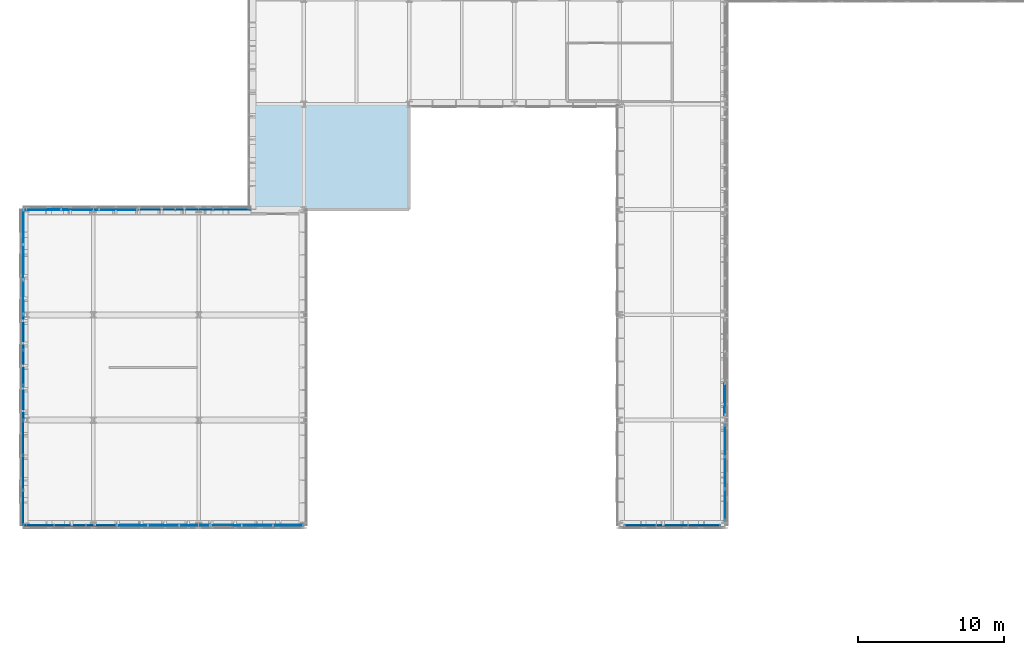
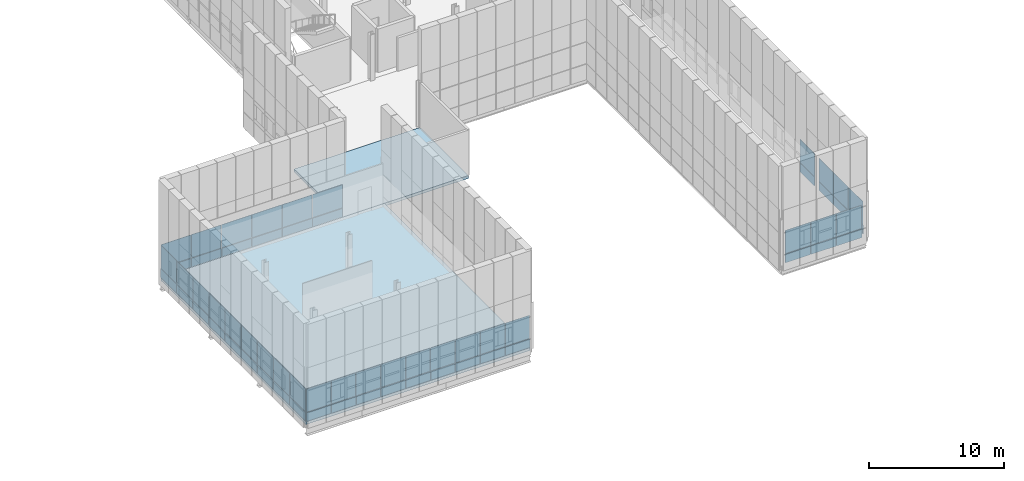
# One storey, part 91 of 144: 62 plates, 2 slabs, 11 elements without a shape of their own.
"""IFC4 building model written with IfcOpenShell, lengths in metres."""

from ifc_helpers import new_model, si_unit, direction, frame, origin, origin_2d, place, context, subcontext, project, spatial, polyline, rectangle, outline, extrude, material, layer, layer_set, type_object, element, aggregate, save


model = new_model("IFC4")

# Units and contexts
model_context = context("Model", 3, precision=1e-05, world=origin(), true_north=direction((0.0, 1.0)))
body_context = subcontext(model_context, "Body", "Model", "MODEL_VIEW")
ifc_project = project(units=[si_unit("LENGTHUNIT", "METRE"), si_unit("AREAUNIT", "SQUARE_METRE"), si_unit("VOLUMEUNIT", "CUBIC_METRE"), si_unit("PLANEANGLEUNIT", "RADIAN"), si_unit("MASSUNIT", "GRAM", prefix="KILO")], contexts=[model_context])

# Site, building, storey
site_placement = place(None, origin())
site = spatial("IfcSite", under=ifc_project, at=site_placement, CompositionType="ELEMENT")
building_placement = place(site_placement, origin())
building = spatial("IfcBuilding", under=site, at=building_placement, Name="Yarey Park Central Fire Station", CompositionType="ELEMENT")
storey_placement = place(building_placement, frame((0.0, 0.0, 10.199951171875)))
storey = spatial("IfcBuildingStorey", under=building, at=storey_placement, Name="L03", CompositionType="ELEMENT", Elevation=10.199951171875)

# Curtain wall, plates
ifc_material_1 = material(Name="Anodized Aluminium Frame", Category="aluminium")
curtain_wall_type = type_object("IfcCurtainWallType", Name="ENV_CW_V3_OVR1", PredefinedType="NOTDEFINED", material=ifc_material_1)
curtain_wall_1_placement = place(storey_placement, origin())
curtain_wall_1 = element("IfcCurtainWall", 1, at=curtain_wall_1_placement, inside=storey, type_object=curtain_wall_type, Name="CW_L03_DRUM_S_048", PredefinedType="NOTDEFINED")
ifc_material_2 = material(Name="Insulated Aluminium Spandrel Panel", Category="aluminium")
ifc_layer_1 = layer(ifc_material_2, 0.055908203125)
ifc_layer_set_1 = layer_set([ifc_layer_1], Name="Insulated Aluminium Spandrel Panel")
plate_type_1 = type_object("IfcPlateType", Name="ENV_PNL_SPN_01", PredefinedType="CURTAIN_PANEL", material=ifc_layer_set_1)
plate_1_placement = place(storey_placement, frame((17.066650390625, 21.60009765625, 0.04248046875), z_axis=(0.0, 0.0, 1.0), x_axis=(1.0, 0.0, 0.0)))
plate_1 = element("IfcPlate", 2, at=plate_1_placement, type_object=plate_type_1, Name="CW_L03_DRUM_S_048_PNL01", PredefinedType="CURTAIN_PANEL", context=body_context, shape_type="SweptSolid", body=[
    extrude(rectangle(XDim=2.09326171875, YDim=0.055908203125, at=origin_2d()), origin(), (0.0, 0.0, 1.0), 0.7900390625),
])
plate_2_placement = place(storey_placement, frame((19.199951171875, 21.60009765625, 0.04248046875), z_axis=(0.0, 0.0, 1.0), x_axis=(1.0, 0.0, 0.0)))
plate_2 = element("IfcPlate", 3, at=plate_2_placement, type_object=plate_type_1, Name="CW_L03_DRUM_S_048_PNL03", PredefinedType="CURTAIN_PANEL", context=body_context, shape_type="SweptSolid", body=[
    extrude(rectangle(XDim=2.09326171875, YDim=0.055908203125, at=origin_2d()), origin(), (0.0, 0.0, 1.0), 0.7900390625),
])
plate_3_placement = place(storey_placement, frame((21.333251953125, 21.60009765625, 0.04248046875), z_axis=(0.0, 0.0, 1.0), x_axis=(1.0, 0.0, 0.0)))
plate_3 = element("IfcPlate", 4, at=plate_3_placement, type_object=plate_type_1, Name="CW_L03_DRUM_S_048_PNL05", PredefinedType="CURTAIN_PANEL", context=body_context, shape_type="SweptSolid", body=[
    extrude(rectangle(XDim=2.09326171875, YDim=0.055908203125, at=origin_2d()), origin(), (0.0, 0.0, 1.0), 0.7900390625),
])

curtain_wall_2_placement = place(storey_placement, origin())
curtain_wall_2 = element("IfcCurtainWall", 5, at=curtain_wall_2_placement, inside=storey, type_object=curtain_wall_type, Name="CW_L03_DRUM_W_052", PredefinedType="NOTDEFINED")
plate_4_placement = place(storey_placement, frame((9.60009765625, 42.0, 0.04248046875), z_axis=(0.0, 0.0, 1.0), x_axis=(0.0, -1.0, 0.0)))
plate_4 = element("IfcPlate", 6, at=plate_4_placement, type_object=plate_type_1, Name="CW_L03_DRUM_W_052_PNL01", PredefinedType="CURTAIN_PANEL", context=body_context, shape_type="SweptSolid", body=[
    extrude(rectangle(XDim=2.360107421875, YDim=0.055908203125, at=origin_2d()), origin(), (0.0, 0.0, 1.0), 0.7900390625),
])
plate_5_placement = place(storey_placement, frame((9.60009765625, 39.60009765625, 0.04248046875), z_axis=(0.0, 0.0, 1.0), x_axis=(0.0, -1.0, 0.0)))
plate_5 = element("IfcPlate", 7, at=plate_5_placement, type_object=plate_type_1, Name="CW_L03_DRUM_W_052_PNL03", PredefinedType="CURTAIN_PANEL", context=body_context, shape_type="SweptSolid", body=[
    extrude(rectangle(XDim=2.360107421875, YDim=0.055908203125, at=origin_2d()), origin(), (0.0, 0.0, 1.0), 0.7900390625),
])
plate_6_placement = place(storey_placement, frame((9.60009765625, 37.199951171875, 0.04248046875), z_axis=(0.0, 0.0, 1.0), x_axis=(0.0, -1.0, 0.0)))
plate_6 = element("IfcPlate", 8, at=plate_6_placement, type_object=plate_type_1, Name="CW_L03_DRUM_W_052_PNL05", PredefinedType="CURTAIN_PANEL", context=body_context, shape_type="SweptSolid", body=[
    extrude(rectangle(XDim=2.360107421875, YDim=0.055908203125, at=origin_2d()), origin(), (0.0, 0.0, 1.0), 0.7900390625),
])

curtain_wall_3_placement = place(storey_placement, origin())
curtain_wall_3 = element("IfcCurtainWall", 9, at=curtain_wall_3_placement, inside=storey, type_object=curtain_wall_type, Name="CW_L03_V1_E_056", PredefinedType="NOTDEFINED")
plate_7_placement = place(storey_placement, frame((57.60009765625, 23.006591796875, 0.04248046875), z_axis=(0.0, 0.0, 1.0), x_axis=(0.0, 1.0, 0.0)))
plate_7 = element("IfcPlate", 10, at=plate_7_placement, type_object=plate_type_1, Name="CW_L03_V1_E_056_PNL01", PredefinedType="CURTAIN_PANEL", context=body_context, shape_type="SweptSolid", body=[
    extrude(rectangle(XDim=2.1533203125, YDim=0.055908203125, at=origin_2d()), origin(), (0.0, 0.0, 1.0), 0.7900390625),
])
plate_8_placement = place(storey_placement, frame((57.60009765625, 25.199951171875, 0.04248046875), z_axis=(0.0, 0.0, 1.0), x_axis=(0.0, 1.0, 0.0)))
plate_8 = element("IfcPlate", 11, at=plate_8_placement, type_object=plate_type_1, Name="CW_L03_V1_E_056_PNL03", PredefinedType="CURTAIN_PANEL", context=body_context, shape_type="SweptSolid", body=[
    extrude(rectangle(XDim=2.1533203125, YDim=0.055908203125, at=origin_2d()), origin(), (0.0, 0.0, 1.0), 0.7900390625),
])
plate_9_placement = place(storey_placement, frame((57.60009765625, 27.393310546875, 0.04248046875), z_axis=(0.0, 0.0, 1.0), x_axis=(0.0, 1.0, 0.0)))
plate_9 = element("IfcPlate", 12, at=plate_9_placement, type_object=plate_type_1, Name="CW_L03_V1_E_056_PNL05", PredefinedType="CURTAIN_PANEL", context=body_context, shape_type="SweptSolid", body=[
    extrude(rectangle(XDim=2.1533203125, YDim=0.055908203125, at=origin_2d()), origin(), (0.0, 0.0, 1.0), 0.7900390625),
])

curtain_wall_4_placement = place(storey_placement, origin())
curtain_wall_4 = element("IfcCurtainWall", 13, at=curtain_wall_4_placement, inside=storey, type_object=curtain_wall_type, Name="CW_L03_DRUM_S_049", PredefinedType="NOTDEFINED")
ifc_layer_2 = layer(ifc_material_2, 0.068115234375)
ifc_layer_set_2 = layer_set([ifc_layer_2], Name="Insulated Aluminium Spandrel Panel")
plate_type_2 = type_object("IfcPlateType", Name="ENV_PNL_SPN_02", PredefinedType="CURTAIN_PANEL", material=ifc_layer_set_2)
plate_10_placement = place(storey_placement, frame((23.466796875, 21.60009765625, 0.04248046875), z_axis=(0.0, 0.0, 1.0), x_axis=(1.0, 0.0, 0.0)))
plate_10 = element("IfcPlate", 14, at=plate_10_placement, type_object=plate_type_2, Name="CW_L03_DRUM_S_049_PNL01", PredefinedType="CURTAIN_PANEL", context=body_context, shape_type="SweptSolid", body=[
    extrude(rectangle(XDim=2.09326171875, YDim=0.068115234375, at=origin_2d()), origin(), (0.0, 0.0, 1.0), 0.7900390625),
])
plate_11_placement = place(storey_placement, frame((25.60009765625, 21.60009765625, 0.04248046875), z_axis=(0.0, 0.0, 1.0), x_axis=(1.0, 0.0, 0.0)))
plate_11 = element("IfcPlate", 15, at=plate_11_placement, type_object=plate_type_2, Name="CW_L03_DRUM_S_049_PNL03", PredefinedType="CURTAIN_PANEL", context=body_context, shape_type="SweptSolid", body=[
    extrude(rectangle(XDim=2.09326171875, YDim=0.068115234375, at=origin_2d()), origin(), (0.0, 0.0, 1.0), 0.7900390625),
])
plate_12_placement = place(storey_placement, frame((27.7333984375, 21.60009765625, 0.04248046875), z_axis=(0.0, 0.0, 1.0), x_axis=(1.0, 0.0, 0.0)))
plate_12 = element("IfcPlate", 16, at=plate_12_placement, type_object=plate_type_2, Name="CW_L03_DRUM_S_049_PNL05", PredefinedType="CURTAIN_PANEL", context=body_context, shape_type="SweptSolid", body=[
    extrude(rectangle(XDim=2.09326171875, YDim=0.068115234375, at=origin_2d()), origin(), (0.0, 0.0, 1.0), 0.7900390625),
])

curtain_wall_5_placement = place(storey_placement, origin())
curtain_wall_5 = element("IfcCurtainWall", 17, at=curtain_wall_5_placement, inside=storey, type_object=curtain_wall_type, Name="CW_L03_DRUM_N_053", PredefinedType="NOTDEFINED")
plate_13_placement = place(storey_placement, frame((16.10009765625, 43.199951171875, 0.04248046875), z_axis=(0.0, 0.0, 1.0), x_axis=(-1.0, 0.0, 0.0)))
plate_13 = element("IfcPlate", 18, at=plate_13_placement, type_object=plate_type_2, Name="CW_L03_DRUM_N_053_PNL01", PredefinedType="CURTAIN_PANEL", context=body_context, shape_type="SweptSolid", body=[
    extrude(rectangle(XDim=2.56005859375, YDim=0.068115234375, at=origin_2d()), origin(), (0.0, 0.0, 1.0), 0.7900390625),
])
plate_14_placement = place(storey_placement, frame((13.5, 43.199951171875, 0.04248046875), z_axis=(0.0, 0.0, 1.0), x_axis=(-1.0, 0.0, 0.0)))
plate_14 = element("IfcPlate", 19, at=plate_14_placement, type_object=plate_type_2, Name="CW_L03_DRUM_N_053_PNL03", PredefinedType="CURTAIN_PANEL", context=body_context, shape_type="SweptSolid", body=[
    extrude(rectangle(XDim=2.56005859375, YDim=0.068115234375, at=origin_2d()), origin(), (0.0, 0.0, 1.0), 0.7900390625),
])
plate_15_placement = place(storey_placement, frame((10.89990234375, 43.199951171875, 0.04248046875), z_axis=(0.0, 0.0, 1.0), x_axis=(-1.0, 0.0, 0.0)))
plate_15 = element("IfcPlate", 20, at=plate_15_placement, type_object=plate_type_2, Name="CW_L03_DRUM_N_053_PNL05", PredefinedType="CURTAIN_PANEL", context=body_context, shape_type="SweptSolid", body=[
    extrude(rectangle(XDim=2.56005859375, YDim=0.068115234375, at=origin_2d()), origin(), (0.0, 0.0, 1.0), 0.7900390625),
])

# Curtain wall, plate
curtain_wall_6_placement = place(storey_placement, origin())
curtain_wall_6 = element("IfcCurtainWall", 21, at=curtain_wall_6_placement, inside=storey, type_object=curtain_wall_type, Name="CW_L03_V1_E_057", PredefinedType="NOTDEFINED")
plate_16_placement = place(storey_placement, frame((57.60009765625, 30.206787109375, 0.04248046875), z_axis=(0.0, 0.0, 1.0), x_axis=(0.0, 1.0, 0.0)))
plate_16 = element("IfcPlate", 22, at=plate_16_placement, type_object=plate_type_2, Name="CW_L03_V1_E_057_PNL01", PredefinedType="CURTAIN_PANEL", context=body_context, shape_type="SweptSolid", body=[
    extrude(rectangle(XDim=2.1533203125, YDim=0.068115234375, at=origin_2d()), origin(), (0.0, 0.0, 1.0), 0.7900390625),
])

# Curtain wall, plates
curtain_wall_7_placement = place(storey_placement, origin())
curtain_wall_7 = element("IfcCurtainWall", 23, at=curtain_wall_7_placement, inside=storey, type_object=curtain_wall_type, Name="CW_L03_DRUM_W_050", PredefinedType="NOTDEFINED")
ifc_layer_3 = layer(ifc_material_2, 0.077880859375)
ifc_layer_set_3 = layer_set([ifc_layer_3], Name="Insulated Aluminium Spandrel Panel")
plate_type_3 = type_object("IfcPlateType", Name="ENV_PNL_SPN_03", PredefinedType="CURTAIN_PANEL", material=ifc_layer_set_3)
plate_17_placement = place(storey_placement, frame((9.60009765625, 27.60009765625, 0.04248046875), z_axis=(0.0, 0.0, 1.0), x_axis=(0.0, -1.0, 0.0)))
plate_17 = element("IfcPlate", 24, at=plate_17_placement, type_object=plate_type_3, Name="CW_L03_DRUM_W_050_PNL01", PredefinedType="CURTAIN_PANEL", context=body_context, shape_type="SweptSolid", body=[
    extrude(rectangle(XDim=2.360107421875, YDim=0.077880859375, at=origin_2d()), origin(), (0.0, 0.0, 1.0), 0.7900390625),
])
plate_18_placement = place(storey_placement, frame((9.60009765625, 25.199951171875, 0.04248046875), z_axis=(0.0, 0.0, 1.0), x_axis=(0.0, -1.0, 0.0)))
plate_18 = element("IfcPlate", 25, at=plate_18_placement, type_object=plate_type_3, Name="CW_L03_DRUM_W_050_PNL03", PredefinedType="CURTAIN_PANEL", context=body_context, shape_type="SweptSolid", body=[
    extrude(rectangle(XDim=2.360107421875, YDim=0.077880859375, at=origin_2d()), origin(), (0.0, 0.0, 1.0), 0.7900390625),
])
plate_19_placement = place(storey_placement, frame((9.60009765625, 22.800048828125, 0.04248046875), z_axis=(0.0, 0.0, 1.0), x_axis=(0.0, -1.0, 0.0)))
plate_19 = element("IfcPlate", 26, at=plate_19_placement, type_object=plate_type_3, Name="CW_L03_DRUM_W_050_PNL05", PredefinedType="CURTAIN_PANEL", context=body_context, shape_type="SweptSolid", body=[
    extrude(rectangle(XDim=2.360107421875, YDim=0.077880859375, at=origin_2d()), origin(), (0.0, 0.0, 1.0), 0.7900390625),
])

curtain_wall_8_placement = place(storey_placement, origin())
curtain_wall_8 = element("IfcCurtainWall", 27, at=curtain_wall_8_placement, inside=storey, type_object=curtain_wall_type, Name="CW_L03_DRUM_N_054", PredefinedType="NOTDEFINED")
plate_20_placement = place(storey_placement, frame((23.89990234375, 43.199951171875, 0.04248046875), z_axis=(0.0, 0.0, 1.0), x_axis=(-1.0, 0.0, 0.0)))
plate_20 = element("IfcPlate", 28, at=plate_20_placement, type_object=plate_type_3, Name="CW_L03_DRUM_N_054_PNL01", PredefinedType="CURTAIN_PANEL", context=body_context, shape_type="SweptSolid", body=[
    extrude(rectangle(XDim=2.56005859375, YDim=0.077880859375, at=origin_2d()), origin(), (0.0, 0.0, 1.0), 0.7900390625),
])
plate_21_placement = place(storey_placement, frame((21.300048828125, 43.199951171875, 0.04248046875), z_axis=(0.0, 0.0, 1.0), x_axis=(-1.0, 0.0, 0.0)))
plate_21 = element("IfcPlate", 29, at=plate_21_placement, type_object=plate_type_3, Name="CW_L03_DRUM_N_054_PNL03", PredefinedType="CURTAIN_PANEL", context=body_context, shape_type="SweptSolid", body=[
    extrude(rectangle(XDim=2.56005859375, YDim=0.077880859375, at=origin_2d()), origin(), (0.0, 0.0, 1.0), 0.7900390625),
])
plate_22_placement = place(storey_placement, frame((18.699951171875, 43.199951171875, 0.04248046875), z_axis=(0.0, 0.0, 1.0), x_axis=(-1.0, 0.0, 0.0)))
plate_22 = element("IfcPlate", 30, at=plate_22_placement, type_object=plate_type_3, Name="CW_L03_DRUM_N_054_PNL05", PredefinedType="CURTAIN_PANEL", context=body_context, shape_type="SweptSolid", body=[
    extrude(rectangle(XDim=2.56005859375, YDim=0.077880859375, at=origin_2d()), origin(), (0.0, 0.0, 1.0), 0.7900390625),
])

curtain_wall_9_placement = place(storey_placement, origin())
curtain_wall_9 = element("IfcCurtainWall", 31, at=curtain_wall_9_placement, inside=storey, type_object=curtain_wall_type, Name="CW_L03_DRUM_S_047", PredefinedType="NOTDEFINED")
ifc_layer_4 = layer(ifc_material_2, 0.087890625)
ifc_layer_set_4 = layer_set([ifc_layer_4], Name="Insulated Aluminium Spandrel Panel")
plate_type_4 = type_object("IfcPlateType", Name="ENV_PNL_SPN_04", PredefinedType="CURTAIN_PANEL", material=ifc_layer_set_4)
plate_23_placement = place(storey_placement, frame((10.666748046875, 21.60009765625, 0.04248046875), z_axis=(0.0, 0.0, 1.0), x_axis=(1.0, 0.0, 0.0)))
plate_23 = element("IfcPlate", 32, at=plate_23_placement, type_object=plate_type_4, Name="CW_L03_DRUM_S_047_PNL01", PredefinedType="CURTAIN_PANEL", context=body_context, shape_type="SweptSolid", body=[
    extrude(rectangle(XDim=2.09326171875, YDim=0.087890625, at=origin_2d()), origin(), (0.0, 0.0, 1.0), 0.7900390625),
])
plate_24_placement = place(storey_placement, frame((12.800048828125, 21.60009765625, 0.04248046875), z_axis=(0.0, 0.0, 1.0), x_axis=(1.0, 0.0, 0.0)))
plate_24 = element("IfcPlate", 33, at=plate_24_placement, type_object=plate_type_4, Name="CW_L03_DRUM_S_047_PNL03", PredefinedType="CURTAIN_PANEL", context=body_context, shape_type="SweptSolid", body=[
    extrude(rectangle(XDim=2.09326171875, YDim=0.087890625, at=origin_2d()), origin(), (0.0, 0.0, 1.0), 0.7900390625),
])
plate_25_placement = place(storey_placement, frame((14.933349609375, 21.60009765625, 0.04248046875), z_axis=(0.0, 0.0, 1.0), x_axis=(1.0, 0.0, 0.0)))
plate_25 = element("IfcPlate", 34, at=plate_25_placement, type_object=plate_type_4, Name="CW_L03_DRUM_S_047_PNL05", PredefinedType="CURTAIN_PANEL", context=body_context, shape_type="SweptSolid", body=[
    extrude(rectangle(XDim=2.09326171875, YDim=0.087890625, at=origin_2d()), origin(), (0.0, 0.0, 1.0), 0.7900390625),
])

curtain_wall_10_placement = place(storey_placement, origin())
curtain_wall_10 = element("IfcCurtainWall", 35, at=curtain_wall_10_placement, inside=storey, type_object=curtain_wall_type, Name="CW_L03_DRUM_W_051", PredefinedType="NOTDEFINED")
plate_26_placement = place(storey_placement, frame((9.60009765625, 34.800048828125, 0.04248046875), z_axis=(0.0, 0.0, 1.0), x_axis=(0.0, -1.0, 0.0)))
plate_26 = element("IfcPlate", 36, at=plate_26_placement, type_object=plate_type_4, Name="CW_L03_DRUM_W_051_PNL01", PredefinedType="CURTAIN_PANEL", context=body_context, shape_type="SweptSolid", body=[
    extrude(rectangle(XDim=2.360107421875, YDim=0.087890625, at=origin_2d()), origin(), (0.0, 0.0, 1.0), 0.7900390625),
])
plate_27_placement = place(storey_placement, frame((9.60009765625, 32.39990234375, 0.04248046875), z_axis=(0.0, 0.0, 1.0), x_axis=(0.0, -1.0, 0.0)))
plate_27 = element("IfcPlate", 37, at=plate_27_placement, type_object=plate_type_4, Name="CW_L03_DRUM_W_051_PNL03", PredefinedType="CURTAIN_PANEL", context=body_context, shape_type="SweptSolid", body=[
    extrude(rectangle(XDim=2.360107421875, YDim=0.087890625, at=origin_2d()), origin(), (0.0, 0.0, 1.0), 0.7900390625),
])
plate_28_placement = place(storey_placement, frame((9.60009765625, 30.0, 0.04248046875), z_axis=(0.0, 0.0, 1.0), x_axis=(0.0, -1.0, 0.0)))
plate_28 = element("IfcPlate", 38, at=plate_28_placement, type_object=plate_type_4, Name="CW_L03_DRUM_W_051_PNL05", PredefinedType="CURTAIN_PANEL", context=body_context, shape_type="SweptSolid", body=[
    extrude(rectangle(XDim=2.360107421875, YDim=0.087890625, at=origin_2d()), origin(), (0.0, 0.0, 1.0), 0.7900390625),
])

curtain_wall_11_placement = place(storey_placement, origin())
curtain_wall_11 = element("IfcCurtainWall", 39, at=curtain_wall_11_placement, inside=storey, type_object=curtain_wall_type, Name="CW_L03_V1_SE_055", PredefinedType="NOTDEFINED")
plate_29_placement = place(storey_placement, frame((51.806640625, 21.60009765625, 0.04248046875), z_axis=(0.0, 0.0, 1.0), x_axis=(1.0, 0.0, 0.0)))
plate_29 = element("IfcPlate", 40, at=plate_29_placement, type_object=plate_type_4, Name="CW_L03_V1_SE_055_PNL01", PredefinedType="CURTAIN_PANEL", context=body_context, shape_type="SweptSolid", body=[
    extrude(rectangle(XDim=2.1533203125, YDim=0.087890625, at=origin_2d()), origin(), (0.0, 0.0, 1.0), 0.7900390625),
])
plate_30_placement = place(storey_placement, frame((54.0, 21.60009765625, 0.04248046875), z_axis=(0.0, 0.0, 1.0), x_axis=(1.0, 0.0, 0.0)))
plate_30 = element("IfcPlate", 41, at=plate_30_placement, type_object=plate_type_4, Name="CW_L03_V1_SE_055_PNL03", PredefinedType="CURTAIN_PANEL", context=body_context, shape_type="SweptSolid", body=[
    extrude(rectangle(XDim=2.1533203125, YDim=0.087890625, at=origin_2d()), origin(), (0.0, 0.0, 1.0), 0.7900390625),
])
plate_31_placement = place(storey_placement, frame((56.193359375, 21.60009765625, 0.04248046875), z_axis=(0.0, 0.0, 1.0), x_axis=(1.0, 0.0, 0.0)))
plate_31 = element("IfcPlate", 42, at=plate_31_placement, type_object=plate_type_4, Name="CW_L03_V1_SE_055_PNL05", PredefinedType="CURTAIN_PANEL", context=body_context, shape_type="SweptSolid", body=[
    extrude(rectangle(XDim=2.1533203125, YDim=0.087890625, at=origin_2d()), origin(), (0.0, 0.0, 1.0), 0.7900390625),
])

# Plate
ifc_material_3 = material(Name="Laminated Hurricane Low-E Glass", Category="glass")
ifc_layer_5 = layer(ifc_material_3, 0.02392578125)
ifc_layer_set_5 = layer_set([ifc_layer_5], Name="Laminated Hurricane Low-E Glass")
plate_type_5 = type_object("IfcPlateType", Name="ENV_PNL_VIS_01", PredefinedType="CURTAIN_PANEL", material=ifc_layer_set_5)
plate_32_placement = place(storey_placement, frame((17.066650390625, 21.60009765625, 0.86767578125), z_axis=(0.0, 0.0, 1.0), x_axis=(1.0, 0.0, 0.0)))
plate_32 = element("IfcPlate", 43, at=plate_32_placement, type_object=plate_type_5, Name="CW_L03_DRUM_S_048_PNL02", PredefinedType="CURTAIN_PANEL", context=body_context, shape_type="SweptSolid", body=[
    extrude(rectangle(XDim=2.09326171875, YDim=0.02392578125, at=origin_2d()), origin(), (0.0, 0.0, 1.0), 2.090087890625),
])

plate_33_placement = place(storey_placement, frame((19.199951171875, 21.60009765625, 0.86767578125), z_axis=(0.0, 0.0, 1.0), x_axis=(1.0, 0.0, 0.0)))
plate_33 = element("IfcPlate", 44, at=plate_33_placement, type_object=plate_type_5, Name="CW_L03_DRUM_S_048_PNL04", PredefinedType="CURTAIN_PANEL", context=body_context, shape_type="SweptSolid", body=[
    extrude(rectangle(XDim=2.09326171875, YDim=0.02392578125, at=origin_2d()), origin(), (0.0, 0.0, 1.0), 2.090087890625),
])

plate_34_placement = place(storey_placement, frame((21.333251953125, 21.60009765625, 0.86767578125), z_axis=(0.0, 0.0, 1.0), x_axis=(1.0, 0.0, 0.0)))
plate_34 = element("IfcPlate", 45, at=plate_34_placement, type_object=plate_type_5, Name="CW_L03_DRUM_S_048_PNL06", PredefinedType="CURTAIN_PANEL", context=body_context, shape_type="SweptSolid", body=[
    extrude(rectangle(XDim=2.09326171875, YDim=0.02392578125, at=origin_2d()), origin(), (0.0, 0.0, 1.0), 2.090087890625),
])

aggregate(curtain_wall_1, [plate_1, plate_32, plate_2, plate_33, plate_3, plate_34])

plate_35_placement = place(storey_placement, frame((9.60009765625, 42.0, 0.86767578125), z_axis=(0.0, 0.0, 1.0), x_axis=(0.0, -1.0, 0.0)))
plate_35 = element("IfcPlate", 46, at=plate_35_placement, type_object=plate_type_5, Name="CW_L03_DRUM_W_052_PNL02", PredefinedType="CURTAIN_PANEL", context=body_context, shape_type="SweptSolid", body=[
    extrude(rectangle(XDim=2.360107421875, YDim=0.02392578125, at=origin_2d()), origin(), (0.0, 0.0, 1.0), 2.090087890625),
])

plate_36_placement = place(storey_placement, frame((9.60009765625, 39.60009765625, 0.86767578125), z_axis=(0.0, 0.0, 1.0), x_axis=(0.0, -1.0, 0.0)))
plate_36 = element("IfcPlate", 47, at=plate_36_placement, type_object=plate_type_5, Name="CW_L03_DRUM_W_052_PNL04", PredefinedType="CURTAIN_PANEL", context=body_context, shape_type="SweptSolid", body=[
    extrude(rectangle(XDim=2.360107421875, YDim=0.02392578125, at=origin_2d()), origin(), (0.0, 0.0, 1.0), 2.090087890625),
])

plate_37_placement = place(storey_placement, frame((9.60009765625, 37.199951171875, 0.86767578125), z_axis=(0.0, 0.0, 1.0), x_axis=(0.0, -1.0, 0.0)))
plate_37 = element("IfcPlate", 48, at=plate_37_placement, type_object=plate_type_5, Name="CW_L03_DRUM_W_052_PNL06", PredefinedType="CURTAIN_PANEL", context=body_context, shape_type="SweptSolid", body=[
    extrude(rectangle(XDim=2.360107421875, YDim=0.02392578125, at=origin_2d()), origin(), (0.0, 0.0, 1.0), 2.090087890625),
])

aggregate(curtain_wall_2, [plate_4, plate_35, plate_5, plate_36, plate_6, plate_37])

plate_38_placement = place(storey_placement, frame((57.60009765625, 23.006591796875, 0.86767578125), z_axis=(0.0, 0.0, 1.0), x_axis=(0.0, 1.0, 0.0)))
plate_38 = element("IfcPlate", 49, at=plate_38_placement, type_object=plate_type_5, Name="CW_L03_V1_E_056_PNL02", PredefinedType="CURTAIN_PANEL", context=body_context, shape_type="SweptSolid", body=[
    extrude(rectangle(XDim=2.1533203125, YDim=0.02392578125, at=origin_2d()), origin(), (0.0, 0.0, 1.0), 2.090087890625),
])

plate_39_placement = place(storey_placement, frame((57.60009765625, 25.199951171875, 0.86767578125), z_axis=(0.0, 0.0, 1.0), x_axis=(0.0, 1.0, 0.0)))
plate_39 = element("IfcPlate", 50, at=plate_39_placement, type_object=plate_type_5, Name="CW_L03_V1_E_056_PNL04", PredefinedType="CURTAIN_PANEL", context=body_context, shape_type="SweptSolid", body=[
    extrude(rectangle(XDim=2.1533203125, YDim=0.02392578125, at=origin_2d()), origin(), (0.0, 0.0, 1.0), 2.090087890625),
])

plate_40_placement = place(storey_placement, frame((57.60009765625, 27.393310546875, 0.86767578125), z_axis=(0.0, 0.0, 1.0), x_axis=(0.0, 1.0, 0.0)))
plate_40 = element("IfcPlate", 51, at=plate_40_placement, type_object=plate_type_5, Name="CW_L03_V1_E_056_PNL06", PredefinedType="CURTAIN_PANEL", context=body_context, shape_type="SweptSolid", body=[
    extrude(rectangle(XDim=2.1533203125, YDim=0.02392578125, at=origin_2d()), origin(), (0.0, 0.0, 1.0), 2.090087890625),
])

aggregate(curtain_wall_3, [plate_7, plate_38, plate_8, plate_39, plate_9, plate_40])

ifc_layer_6 = layer(ifc_material_3, 0.031982421875)
ifc_layer_set_6 = layer_set([ifc_layer_6], Name="Laminated Hurricane Low-E Glass")
plate_type_6 = type_object("IfcPlateType", Name="ENV_PNL_VIS_02", PredefinedType="CURTAIN_PANEL", material=ifc_layer_set_6)
plate_41_placement = place(storey_placement, frame((23.466796875, 21.60009765625, 0.86767578125), z_axis=(0.0, 0.0, 1.0), x_axis=(1.0, 0.0, 0.0)))
plate_41 = element("IfcPlate", 52, at=plate_41_placement, type_object=plate_type_6, Name="CW_L03_DRUM_S_049_PNL02", PredefinedType="CURTAIN_PANEL", context=body_context, shape_type="SweptSolid", body=[
    extrude(rectangle(XDim=2.09326171875, YDim=0.031982421875, at=origin_2d()), origin(), (0.0, 0.0, 1.0), 2.090087890625),
])

plate_42_placement = place(storey_placement, frame((25.60009765625, 21.60009765625, 0.86767578125), z_axis=(0.0, 0.0, 1.0), x_axis=(1.0, 0.0, 0.0)))
plate_42 = element("IfcPlate", 53, at=plate_42_placement, type_object=plate_type_6, Name="CW_L03_DRUM_S_049_PNL04", PredefinedType="CURTAIN_PANEL", context=body_context, shape_type="SweptSolid", body=[
    extrude(rectangle(XDim=2.09326171875, YDim=0.031982421875, at=origin_2d()), origin(), (0.0, 0.0, 1.0), 2.090087890625),
])

plate_43_placement = place(storey_placement, frame((27.7333984375, 21.60009765625, 0.86767578125), z_axis=(0.0, 0.0, 1.0), x_axis=(1.0, 0.0, 0.0)))
plate_43 = element("IfcPlate", 54, at=plate_43_placement, type_object=plate_type_6, Name="CW_L03_DRUM_S_049_PNL06", PredefinedType="CURTAIN_PANEL", context=body_context, shape_type="SweptSolid", body=[
    extrude(rectangle(XDim=2.09326171875, YDim=0.031982421875, at=origin_2d()), origin(), (0.0, 0.0, 1.0), 2.090087890625),
])

aggregate(curtain_wall_4, [plate_10, plate_41, plate_11, plate_42, plate_12, plate_43])

plate_44_placement = place(storey_placement, frame((16.10009765625, 43.199951171875, 0.86767578125), z_axis=(0.0, 0.0, 1.0), x_axis=(-1.0, 0.0, 0.0)))
plate_44 = element("IfcPlate", 55, at=plate_44_placement, type_object=plate_type_6, Name="CW_L03_DRUM_N_053_PNL02", PredefinedType="CURTAIN_PANEL", context=body_context, shape_type="SweptSolid", body=[
    extrude(rectangle(XDim=2.56005859375, YDim=0.031982421875, at=origin_2d()), origin(), (0.0, 0.0, 1.0), 2.090087890625),
])

plate_45_placement = place(storey_placement, frame((13.5, 43.199951171875, 0.86767578125), z_axis=(0.0, 0.0, 1.0), x_axis=(-1.0, 0.0, 0.0)))
plate_45 = element("IfcPlate", 56, at=plate_45_placement, type_object=plate_type_6, Name="CW_L03_DRUM_N_053_PNL04", PredefinedType="CURTAIN_PANEL", context=body_context, shape_type="SweptSolid", body=[
    extrude(rectangle(XDim=2.56005859375, YDim=0.031982421875, at=origin_2d()), origin(), (0.0, 0.0, 1.0), 2.090087890625),
])

plate_46_placement = place(storey_placement, frame((10.89990234375, 43.199951171875, 0.86767578125), z_axis=(0.0, 0.0, 1.0), x_axis=(-1.0, 0.0, 0.0)))
plate_46 = element("IfcPlate", 57, at=plate_46_placement, type_object=plate_type_6, Name="CW_L03_DRUM_N_053_PNL06", PredefinedType="CURTAIN_PANEL", context=body_context, shape_type="SweptSolid", body=[
    extrude(rectangle(XDim=2.56005859375, YDim=0.031982421875, at=origin_2d()), origin(), (0.0, 0.0, 1.0), 2.090087890625),
])

aggregate(curtain_wall_5, [plate_13, plate_44, plate_14, plate_45, plate_15, plate_46])

plate_47_placement = place(storey_placement, frame((57.60009765625, 30.206787109375, 0.86767578125), z_axis=(0.0, 0.0, 1.0), x_axis=(0.0, 1.0, 0.0)))
plate_47 = element("IfcPlate", 58, at=plate_47_placement, type_object=plate_type_6, Name="CW_L03_V1_E_057_PNL02", PredefinedType="CURTAIN_PANEL", context=body_context, shape_type="SweptSolid", body=[
    extrude(rectangle(XDim=2.1533203125, YDim=0.031982421875, at=origin_2d()), origin(), (0.0, 0.0, 1.0), 2.090087890625),
])

aggregate(curtain_wall_6, [plate_16, plate_47])

ifc_layer_7 = layer(ifc_material_3, 0.0380859375)
ifc_layer_set_7 = layer_set([ifc_layer_7], Name="Laminated Hurricane Low-E Glass")
plate_type_7 = type_object("IfcPlateType", Name="ENV_PNL_VIS_03", PredefinedType="CURTAIN_PANEL", material=ifc_layer_set_7)
plate_48_placement = place(storey_placement, frame((9.60009765625, 27.60009765625, 0.86767578125), z_axis=(0.0, 0.0, 1.0), x_axis=(0.0, -1.0, 0.0)))
plate_48 = element("IfcPlate", 59, at=plate_48_placement, type_object=plate_type_7, Name="CW_L03_DRUM_W_050_PNL02", PredefinedType="CURTAIN_PANEL", context=body_context, shape_type="SweptSolid", body=[
    extrude(rectangle(XDim=2.360107421875, YDim=0.0380859375, at=origin_2d()), origin(), (0.0, 0.0, 1.0), 2.090087890625),
])

plate_49_placement = place(storey_placement, frame((9.60009765625, 25.199951171875, 0.86767578125), z_axis=(0.0, 0.0, 1.0), x_axis=(0.0, -1.0, 0.0)))
plate_49 = element("IfcPlate", 60, at=plate_49_placement, type_object=plate_type_7, Name="CW_L03_DRUM_W_050_PNL04", PredefinedType="CURTAIN_PANEL", context=body_context, shape_type="SweptSolid", body=[
    extrude(rectangle(XDim=2.360107421875, YDim=0.0380859375, at=origin_2d()), origin(), (0.0, 0.0, 1.0), 2.090087890625),
])

plate_50_placement = place(storey_placement, frame((9.60009765625, 22.800048828125, 0.86767578125), z_axis=(0.0, 0.0, 1.0), x_axis=(0.0, -1.0, 0.0)))
plate_50 = element("IfcPlate", 61, at=plate_50_placement, type_object=plate_type_7, Name="CW_L03_DRUM_W_050_PNL06", PredefinedType="CURTAIN_PANEL", context=body_context, shape_type="SweptSolid", body=[
    extrude(rectangle(XDim=2.360107421875, YDim=0.0380859375, at=origin_2d()), origin(), (0.0, 0.0, 1.0), 2.090087890625),
])

aggregate(curtain_wall_7, [plate_17, plate_48, plate_18, plate_49, plate_19, plate_50])

plate_51_placement = place(storey_placement, frame((23.89990234375, 43.199951171875, 0.86767578125), z_axis=(0.0, 0.0, 1.0), x_axis=(-1.0, 0.0, 0.0)))
plate_51 = element("IfcPlate", 62, at=plate_51_placement, type_object=plate_type_7, Name="CW_L03_DRUM_N_054_PNL02", PredefinedType="CURTAIN_PANEL", context=body_context, shape_type="SweptSolid", body=[
    extrude(rectangle(XDim=2.56005859375, YDim=0.0380859375, at=origin_2d()), origin(), (0.0, 0.0, 1.0), 2.090087890625),
])

plate_52_placement = place(storey_placement, frame((21.300048828125, 43.199951171875, 0.86767578125), z_axis=(0.0, 0.0, 1.0), x_axis=(-1.0, 0.0, 0.0)))
plate_52 = element("IfcPlate", 63, at=plate_52_placement, type_object=plate_type_7, Name="CW_L03_DRUM_N_054_PNL04", PredefinedType="CURTAIN_PANEL", context=body_context, shape_type="SweptSolid", body=[
    extrude(rectangle(XDim=2.56005859375, YDim=0.0380859375, at=origin_2d()), origin(), (0.0, 0.0, 1.0), 2.090087890625),
])

plate_53_placement = place(storey_placement, frame((18.699951171875, 43.199951171875, 0.86767578125), z_axis=(0.0, 0.0, 1.0), x_axis=(-1.0, 0.0, 0.0)))
plate_53 = element("IfcPlate", 64, at=plate_53_placement, type_object=plate_type_7, Name="CW_L03_DRUM_N_054_PNL06", PredefinedType="CURTAIN_PANEL", context=body_context, shape_type="SweptSolid", body=[
    extrude(rectangle(XDim=2.56005859375, YDim=0.0380859375, at=origin_2d()), origin(), (0.0, 0.0, 1.0), 2.090087890625),
])

aggregate(curtain_wall_8, [plate_20, plate_51, plate_21, plate_52, plate_22, plate_53])

ifc_layer_8 = layer(ifc_material_3, 0.0458984375)
ifc_layer_set_8 = layer_set([ifc_layer_8], Name="Laminated Hurricane Low-E Glass")
plate_type_8 = type_object("IfcPlateType", Name="ENV_PNL_VIS_04", PredefinedType="CURTAIN_PANEL", material=ifc_layer_set_8)
plate_54_placement = place(storey_placement, frame((10.666748046875, 21.60009765625, 0.86767578125), z_axis=(0.0, 0.0, 1.0), x_axis=(1.0, 0.0, 0.0)))
plate_54 = element("IfcPlate", 65, at=plate_54_placement, type_object=plate_type_8, Name="CW_L03_DRUM_S_047_PNL02", PredefinedType="CURTAIN_PANEL", context=body_context, shape_type="SweptSolid", body=[
    extrude(rectangle(XDim=2.09326171875, YDim=0.0458984375, at=origin_2d()), origin(), (0.0, 0.0, 1.0), 2.090087890625),
])

plate_55_placement = place(storey_placement, frame((12.800048828125, 21.60009765625, 0.86767578125), z_axis=(0.0, 0.0, 1.0), x_axis=(1.0, 0.0, 0.0)))
plate_55 = element("IfcPlate", 66, at=plate_55_placement, type_object=plate_type_8, Name="CW_L03_DRUM_S_047_PNL04", PredefinedType="CURTAIN_PANEL", context=body_context, shape_type="SweptSolid", body=[
    extrude(rectangle(XDim=2.09326171875, YDim=0.0458984375, at=origin_2d()), origin(), (0.0, 0.0, 1.0), 2.090087890625),
])

plate_56_placement = place(storey_placement, frame((14.933349609375, 21.60009765625, 0.86767578125), z_axis=(0.0, 0.0, 1.0), x_axis=(1.0, 0.0, 0.0)))
plate_56 = element("IfcPlate", 67, at=plate_56_placement, type_object=plate_type_8, Name="CW_L03_DRUM_S_047_PNL06", PredefinedType="CURTAIN_PANEL", context=body_context, shape_type="SweptSolid", body=[
    extrude(rectangle(XDim=2.09326171875, YDim=0.0458984375, at=origin_2d()), origin(), (0.0, 0.0, 1.0), 2.090087890625),
])

aggregate(curtain_wall_9, [plate_23, plate_54, plate_24, plate_55, plate_25, plate_56])

plate_57_placement = place(storey_placement, frame((9.60009765625, 34.800048828125, 0.86767578125), z_axis=(0.0, 0.0, 1.0), x_axis=(0.0, -1.0, 0.0)))
plate_57 = element("IfcPlate", 68, at=plate_57_placement, type_object=plate_type_8, Name="CW_L03_DRUM_W_051_PNL02", PredefinedType="CURTAIN_PANEL", context=body_context, shape_type="SweptSolid", body=[
    extrude(rectangle(XDim=2.360107421875, YDim=0.0458984375, at=origin_2d()), origin(), (0.0, 0.0, 1.0), 2.090087890625),
])

plate_58_placement = place(storey_placement, frame((9.60009765625, 32.39990234375, 0.86767578125), z_axis=(0.0, 0.0, 1.0), x_axis=(0.0, -1.0, 0.0)))
plate_58 = element("IfcPlate", 69, at=plate_58_placement, type_object=plate_type_8, Name="CW_L03_DRUM_W_051_PNL04", PredefinedType="CURTAIN_PANEL", context=body_context, shape_type="SweptSolid", body=[
    extrude(rectangle(XDim=2.360107421875, YDim=0.0458984375, at=origin_2d()), origin(), (0.0, 0.0, 1.0), 2.090087890625),
])

plate_59_placement = place(storey_placement, frame((9.60009765625, 30.0, 0.86767578125), z_axis=(0.0, 0.0, 1.0), x_axis=(0.0, -1.0, 0.0)))
plate_59 = element("IfcPlate", 70, at=plate_59_placement, type_object=plate_type_8, Name="CW_L03_DRUM_W_051_PNL06", PredefinedType="CURTAIN_PANEL", context=body_context, shape_type="SweptSolid", body=[
    extrude(rectangle(XDim=2.360107421875, YDim=0.0458984375, at=origin_2d()), origin(), (0.0, 0.0, 1.0), 2.090087890625),
])

aggregate(curtain_wall_10, [plate_26, plate_57, plate_27, plate_58, plate_28, plate_59])

plate_60_placement = place(storey_placement, frame((51.806640625, 21.60009765625, 0.86767578125), z_axis=(0.0, 0.0, 1.0), x_axis=(1.0, 0.0, 0.0)))
plate_60 = element("IfcPlate", 71, at=plate_60_placement, type_object=plate_type_8, Name="CW_L03_V1_SE_055_PNL02", PredefinedType="CURTAIN_PANEL", context=body_context, shape_type="SweptSolid", body=[
    extrude(rectangle(XDim=2.1533203125, YDim=0.0458984375, at=origin_2d()), origin(), (0.0, 0.0, 1.0), 2.090087890625),
])

plate_61_placement = place(storey_placement, frame((54.0, 21.60009765625, 0.86767578125), z_axis=(0.0, 0.0, 1.0), x_axis=(1.0, 0.0, 0.0)))
plate_61 = element("IfcPlate", 72, at=plate_61_placement, type_object=plate_type_8, Name="CW_L03_V1_SE_055_PNL04", PredefinedType="CURTAIN_PANEL", context=body_context, shape_type="SweptSolid", body=[
    extrude(rectangle(XDim=2.1533203125, YDim=0.0458984375, at=origin_2d()), origin(), (0.0, 0.0, 1.0), 2.090087890625),
])

plate_62_placement = place(storey_placement, frame((56.193359375, 21.60009765625, 0.86767578125), z_axis=(0.0, 0.0, 1.0), x_axis=(1.0, 0.0, 0.0)))
plate_62 = element("IfcPlate", 73, at=plate_62_placement, type_object=plate_type_8, Name="CW_L03_V1_SE_055_PNL06", PredefinedType="CURTAIN_PANEL", context=body_context, shape_type="SweptSolid", body=[
    extrude(rectangle(XDim=2.1533203125, YDim=0.0458984375, at=origin_2d()), origin(), (0.0, 0.0, 1.0), 2.090087890625),
])

aggregate(curtain_wall_11, [plate_29, plate_60, plate_30, plate_61, plate_31, plate_62])

# Slabs
ifc_material_4 = material(Name="Concrete C40/50", Category="concrete")
ifc_layer_9 = layer(ifc_material_4, 0.260009765625)
ifc_layer_set_9 = layer_set([ifc_layer_9], Name="Concrete C40/50")
slab_type = type_object("IfcSlabType", Name="STR_SLAB_F260", PredefinedType="FLOOR", material=ifc_layer_set_9)
slab_1_placement = place(storey_placement, frame((0.0, 0.0, -0.260009765625)))
element("IfcSlab", 74, at=slab_1_placement, inside=storey, type_object=slab_type, Name="SLAB_L03_V1_DRUM_OVR", PredefinedType="FLOOR", context=body_context, shape_type="SweptSolid", body=[
    extrude(outline(polyline([(9.60009765625, 21.60009765625), (28.800048828125, 21.60009765625), (28.800048828125, 43.199951171875), (9.60009765625, 43.199951171875), (9.60009765625, 21.60009765625)])), origin(), (0.0, 0.0, 1.0), 0.260009765625),
])
slab_2_placement = place(storey_placement, frame((0.0, 0.0, -0.260009765625)))
element("IfcSlab", 75, at=slab_2_placement, inside=storey, type_object=slab_type, Name="SLAB_L03_V1_WN", PredefinedType="FLOOR", context=body_context, shape_type="SweptSolid", body=[
    extrude(outline(polyline([(25.199951171875, 43.199951171875), (36.0, 43.199951171875), (36.0, 50.39990234375), (25.199951171875, 50.39990234375), (25.199951171875, 43.199951171875)])), origin(), (0.0, 0.0, 1.0), 0.260009765625),
])

save(model, "model.ifc")
